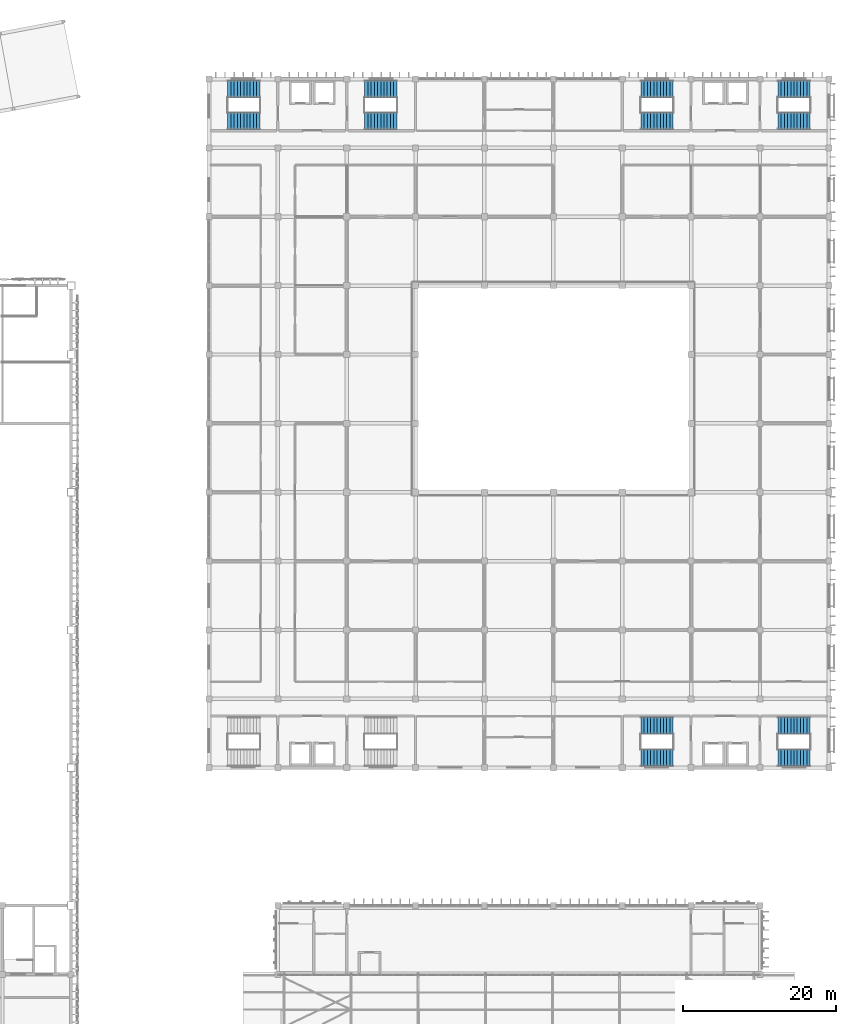
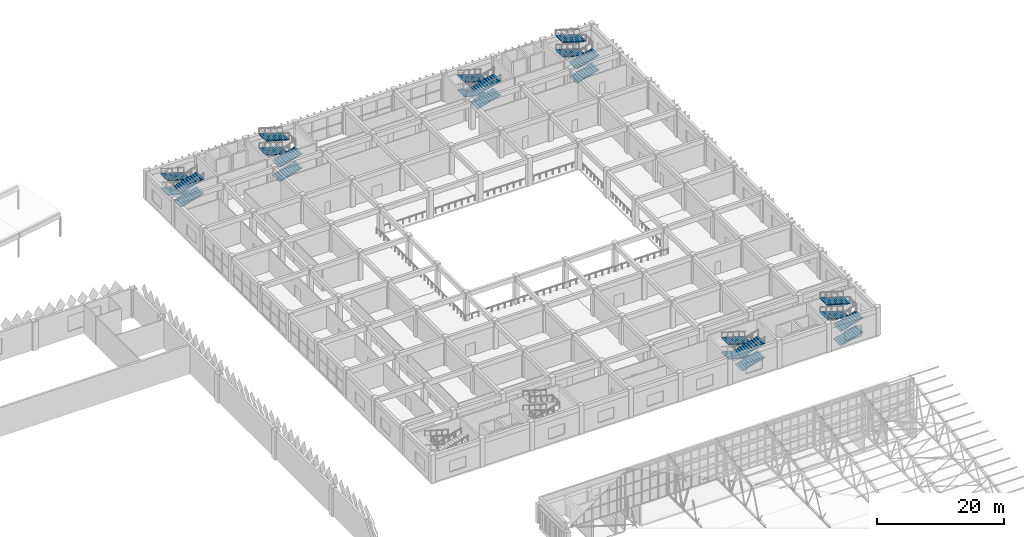
# One storey, part 133 of 185: 24 stair flights, 6 elements without a shape of their own.
"""IFC4 building model written with IfcOpenShell, lengths in metres."""

from ifc_helpers import new_model, si_unit, direction, frame, origin, place, context, subcontext, project, spatial, polyline, outline, extrude, material, type_object, element, aggregate, save


model = new_model("IFC4")

# Units and contexts
model_context = context("Model", 3, precision=1e-05, world=origin(), true_north=direction((0.0, 1.0)))
body_context = subcontext(model_context, "Body", "Model", "MODEL_VIEW")
ifc_project = project(units=[si_unit("LENGTHUNIT", "METRE"), si_unit("AREAUNIT", "SQUARE_METRE"), si_unit("VOLUMEUNIT", "CUBIC_METRE"), si_unit("PLANEANGLEUNIT", "RADIAN"), si_unit("MASSUNIT", "GRAM", prefix="KILO")], contexts=[model_context])

# Site, building, storey
site_placement = place(None, origin())
site = spatial("IfcSite", under=ifc_project, at=site_placement, CompositionType="ELEMENT")
building_placement = place(site_placement, origin())
building = spatial("IfcBuilding", under=site, at=building_placement, Name="Opaline Strait Convention Centre", CompositionType="ELEMENT")
storey_placement = place(building_placement, frame((0.0, 0.0, 6.0)))
storey = spatial("IfcBuildingStorey", under=building, at=storey_placement, Name="L01", CompositionType="ELEMENT", Elevation=6.0)

# Stair, stair flights
ifc_material = material(Name="Concrete C40", Category="concrete")
stair_type = type_object("IfcStairType", Name="Escape stair half-turn 2200 concrete C40", PredefinedType="HALF_TURN_STAIR", material=ifc_material)
stair_1_placement = place(storey_placement, origin())
stair_1 = element("IfcStair", 1, at=stair_1_placement, inside=storey, type_object=stair_type, Name="L01 Stair S3-MTG", ObjectType="MST1", PredefinedType="HALF_TURN_STAIR")
stair_flight_type = type_object("IfcStairFlightType", Name="Stair flight 2200 concrete C40", PredefinedType="STRAIGHT", material=ifc_material)
stair_flight_1_placement = place(storey_placement, frame((353.349853515625, 91.300048828125, 0.0), z_axis=(0.0, 0.0, 1.0), x_axis=(1.0, 0.0, 0.0)))
stair_flight_1 = element("IfcStairFlight", 2, at=stair_flight_1_placement, type_object=stair_flight_type, Name="S3 flight 1", ObjectType="MSF2", NumberOfRisers=11, NumberOfTreads=10, PredefinedType="STRAIGHT", RiserHeight=0.125, TreadLength=0.42, context=body_context, shape_type="SweptSolid", body=[
    extrude(outline(polyline([(0.0, 0.0), (0.0, 0.125), (0.419921875, 0.125), (0.419921875, 0.25), (0.840087890625, 0.25), (0.840087890625, 0.375), (1.260009765625, 0.375), (1.260009765625, 0.5), (1.679931640625, 0.5), (1.679931640625, 0.625), (2.10009765625, 0.625), (2.10009765625, 0.75), (2.52001953125, 0.75), (2.52001953125, 0.875), (2.93994140625, 0.875), (2.93994140625, 1.0), (3.360107421875, 1.0), (3.360107421875, 1.125), (3.780029296875, 1.125), (3.780029296875, 1.25), (4.199951171875, 1.25), (4.199951171875, 1.375), (4.199951171875, 1.093505859375), (0.525390625, 0.0), (0.0, 0.0)])), frame((0.0, 1.10009765625, 0.0), z_axis=(0.0, -1.0, 0.0), x_axis=(1.0, 0.0, 0.0)), (0.0, 0.0, 1.0), 2.199951171875),
])
stair_flight_2_placement = place(storey_placement, frame((357.5498046875, 95.5, 1.375), z_axis=(0.0, 0.0, 1.0), x_axis=(-1.0, 0.0, 0.0)))
stair_flight_2 = element("IfcStairFlight", 3, at=stair_flight_2_placement, type_object=stair_flight_type, Name="S3 flight 2", ObjectType="MSF2", NumberOfRisers=11, NumberOfTreads=10, PredefinedType="STRAIGHT", RiserHeight=0.125, TreadLength=0.42, context=body_context, shape_type="SweptSolid", body=[
    extrude(outline(polyline([(0.0, 0.0), (0.0, 0.125), (0.419921875, 0.125), (0.419921875, 0.25), (0.840087890625, 0.25), (0.840087890625, 0.375), (1.260009765625, 0.375), (1.260009765625, 0.5), (1.679931640625, 0.5), (1.679931640625, 0.625), (2.10009765625, 0.625), (2.10009765625, 0.75), (2.52001953125, 0.75), (2.52001953125, 0.875), (2.93994140625, 0.875), (2.93994140625, 1.0), (3.360107421875, 1.0), (3.360107421875, 1.125), (3.780029296875, 1.125), (3.780029296875, 1.25), (4.199951171875, 1.25), (4.199951171875, 1.375), (4.199951171875, 1.093505859375), (0.525390625, 0.0), (0.0, 0.0)])), frame((0.0, 1.10009765625, 0.0), z_axis=(0.0, -1.0, 0.0), x_axis=(1.0, 0.0, 0.0)), (0.0, 0.0, 1.0), 2.199951171875),
])
stair_flight_3_placement = place(storey_placement, frame((353.349853515625, 91.300048828125, 2.75), z_axis=(0.0, 0.0, 1.0), x_axis=(1.0, 0.0, 0.0)))
stair_flight_3 = element("IfcStairFlight", 4, at=stair_flight_3_placement, type_object=stair_flight_type, Name="S3 flight 3", ObjectType="MSF2", NumberOfRisers=11, NumberOfTreads=10, PredefinedType="STRAIGHT", RiserHeight=0.125, TreadLength=0.42, context=body_context, shape_type="SweptSolid", body=[
    extrude(outline(polyline([(0.0, 0.0), (0.0, 0.125), (0.419921875, 0.125), (0.419921875, 0.25), (0.840087890625, 0.25), (0.840087890625, 0.375), (1.260009765625, 0.375), (1.260009765625, 0.5), (1.679931640625, 0.5), (1.679931640625, 0.625), (2.10009765625, 0.625), (2.10009765625, 0.75), (2.52001953125, 0.75), (2.52001953125, 0.875), (2.93994140625, 0.875), (2.93994140625, 1.0), (3.360107421875, 1.0), (3.360107421875, 1.125), (3.780029296875, 1.125), (3.780029296875, 1.25), (4.199951171875, 1.25), (4.199951171875, 1.375), (4.199951171875, 1.093505859375), (0.525390625, 0.0), (0.0, 0.0)])), frame((0.0, 1.10009765625, 0.0), z_axis=(0.0, -1.0, 0.0), x_axis=(1.0, 0.0, 0.0)), (0.0, 0.0, 1.0), 2.199951171875),
])
stair_flight_4_placement = place(storey_placement, frame((357.5498046875, 95.5, 4.125), z_axis=(0.0, 0.0, 1.0), x_axis=(-1.0, 0.0, 0.0)))
stair_flight_4 = element("IfcStairFlight", 5, at=stair_flight_4_placement, type_object=stair_flight_type, Name="S3 flight 4", ObjectType="MSF2", NumberOfRisers=11, NumberOfTreads=10, PredefinedType="STRAIGHT", RiserHeight=0.125, TreadLength=0.42, context=body_context, shape_type="SweptSolid", body=[
    extrude(outline(polyline([(0.0, 0.0), (0.0, 0.125), (0.419921875, 0.125), (0.419921875, 0.25), (0.840087890625, 0.25), (0.840087890625, 0.375), (1.260009765625, 0.375), (1.260009765625, 0.5), (1.679931640625, 0.5), (1.679931640625, 0.625), (2.10009765625, 0.625), (2.10009765625, 0.75), (2.52001953125, 0.75), (2.52001953125, 0.875), (2.93994140625, 0.875), (2.93994140625, 1.0), (3.360107421875, 1.0), (3.360107421875, 1.125), (3.780029296875, 1.125), (3.780029296875, 1.25), (4.199951171875, 1.25), (4.199951171875, 1.375), (4.199951171875, 1.093505859375), (0.525390625, 0.0), (0.0, 0.0)])), frame((0.0, 1.10009765625, 0.0), z_axis=(0.0, -1.0, 0.0), x_axis=(1.0, 0.0, 0.0)), (0.0, 0.0, 1.0), 2.199951171875),
])
aggregate(stair_1, [stair_flight_1, stair_flight_2, stair_flight_3, stair_flight_4])

stair_2_placement = place(storey_placement, origin())
stair_2 = element("IfcStair", 6, at=stair_2_placement, inside=storey, type_object=stair_type, Name="L01 Stair S4-MTG", ObjectType="MST1", PredefinedType="HALF_TURN_STAIR")
stair_flight_5_placement = place(storey_placement, frame((339.650146484375, 95.5, 0.0), z_axis=(0.0, 0.0, 1.0), x_axis=(-1.0, 0.0, 0.0)))
stair_flight_5 = element("IfcStairFlight", 7, at=stair_flight_5_placement, type_object=stair_flight_type, Name="S4 flight 1", ObjectType="MSF2", NumberOfRisers=11, NumberOfTreads=10, PredefinedType="STRAIGHT", RiserHeight=0.125, TreadLength=0.42, context=body_context, shape_type="SweptSolid", body=[
    extrude(outline(polyline([(0.0, 0.0), (0.0, 0.125), (0.419921875, 0.125), (0.419921875, 0.25), (0.840087890625, 0.25), (0.840087890625, 0.375), (1.260009765625, 0.375), (1.260009765625, 0.5), (1.679931640625, 0.5), (1.679931640625, 0.625), (2.10009765625, 0.625), (2.10009765625, 0.75), (2.52001953125, 0.75), (2.52001953125, 0.875), (2.93994140625, 0.875), (2.93994140625, 1.0), (3.360107421875, 1.0), (3.360107421875, 1.125), (3.780029296875, 1.125), (3.780029296875, 1.25), (4.199951171875, 1.25), (4.199951171875, 1.375), (4.199951171875, 1.093505859375), (0.525390625, 0.0), (0.0, 0.0)])), frame((0.0, 1.10009765625, 0.0), z_axis=(0.0, -1.0, 0.0), x_axis=(1.0, 0.0, 0.0)), (0.0, 0.0, 1.0), 2.199951171875),
])
stair_flight_6_placement = place(storey_placement, frame((335.4501953125, 91.300048828125, 1.375), z_axis=(0.0, 0.0, 1.0), x_axis=(1.0, 0.0, 0.0)))
stair_flight_6 = element("IfcStairFlight", 8, at=stair_flight_6_placement, type_object=stair_flight_type, Name="S4 flight 2", ObjectType="MSF2", NumberOfRisers=11, NumberOfTreads=10, PredefinedType="STRAIGHT", RiserHeight=0.125, TreadLength=0.42, context=body_context, shape_type="SweptSolid", body=[
    extrude(outline(polyline([(0.0, 0.0), (0.0, 0.125), (0.419921875, 0.125), (0.419921875, 0.25), (0.840087890625, 0.25), (0.840087890625, 0.375), (1.260009765625, 0.375), (1.260009765625, 0.5), (1.679931640625, 0.5), (1.679931640625, 0.625), (2.10009765625, 0.625), (2.10009765625, 0.75), (2.52001953125, 0.75), (2.52001953125, 0.875), (2.93994140625, 0.875), (2.93994140625, 1.0), (3.360107421875, 1.0), (3.360107421875, 1.125), (3.780029296875, 1.125), (3.780029296875, 1.25), (4.199951171875, 1.25), (4.199951171875, 1.375), (4.199951171875, 1.093505859375), (0.525390625, 0.0), (0.0, 0.0)])), frame((0.0, 1.10009765625, 0.0), z_axis=(0.0, -1.0, 0.0), x_axis=(1.0, 0.0, 0.0)), (0.0, 0.0, 1.0), 2.199951171875),
])
stair_flight_7_placement = place(storey_placement, frame((339.650146484375, 95.5, 2.75), z_axis=(0.0, 0.0, 1.0), x_axis=(-1.0, 0.0, 0.0)))
stair_flight_7 = element("IfcStairFlight", 9, at=stair_flight_7_placement, type_object=stair_flight_type, Name="S4 flight 3", ObjectType="MSF2", NumberOfRisers=11, NumberOfTreads=10, PredefinedType="STRAIGHT", RiserHeight=0.125, TreadLength=0.42, context=body_context, shape_type="SweptSolid", body=[
    extrude(outline(polyline([(0.0, 0.0), (0.0, 0.125), (0.419921875, 0.125), (0.419921875, 0.25), (0.840087890625, 0.25), (0.840087890625, 0.375), (1.260009765625, 0.375), (1.260009765625, 0.5), (1.679931640625, 0.5), (1.679931640625, 0.625), (2.10009765625, 0.625), (2.10009765625, 0.75), (2.52001953125, 0.75), (2.52001953125, 0.875), (2.93994140625, 0.875), (2.93994140625, 1.0), (3.360107421875, 1.0), (3.360107421875, 1.125), (3.780029296875, 1.125), (3.780029296875, 1.25), (4.199951171875, 1.25), (4.199951171875, 1.375), (4.199951171875, 1.093505859375), (0.525390625, 0.0), (0.0, 0.0)])), frame((0.0, 1.10009765625, 0.0), z_axis=(0.0, -1.0, 0.0), x_axis=(1.0, 0.0, 0.0)), (0.0, 0.0, 1.0), 2.199951171875),
])
stair_flight_8_placement = place(storey_placement, frame((335.4501953125, 91.300048828125, 4.125), z_axis=(0.0, 0.0, 1.0), x_axis=(1.0, 0.0, 0.0)))
stair_flight_8 = element("IfcStairFlight", 10, at=stair_flight_8_placement, type_object=stair_flight_type, Name="S4 flight 4", ObjectType="MSF2", NumberOfRisers=11, NumberOfTreads=10, PredefinedType="STRAIGHT", RiserHeight=0.125, TreadLength=0.42, context=body_context, shape_type="SweptSolid", body=[
    extrude(outline(polyline([(0.0, 0.0), (0.0, 0.125), (0.419921875, 0.125), (0.419921875, 0.25), (0.840087890625, 0.25), (0.840087890625, 0.375), (1.260009765625, 0.375), (1.260009765625, 0.5), (1.679931640625, 0.5), (1.679931640625, 0.625), (2.10009765625, 0.625), (2.10009765625, 0.75), (2.52001953125, 0.75), (2.52001953125, 0.875), (2.93994140625, 0.875), (2.93994140625, 1.0), (3.360107421875, 1.0), (3.360107421875, 1.125), (3.780029296875, 1.125), (3.780029296875, 1.25), (4.199951171875, 1.25), (4.199951171875, 1.375), (4.199951171875, 1.093505859375), (0.525390625, 0.0), (0.0, 0.0)])), frame((0.0, 1.10009765625, 0.0), z_axis=(0.0, -1.0, 0.0), x_axis=(1.0, 0.0, 0.0)), (0.0, 0.0, 1.0), 2.199951171875),
])
aggregate(stair_2, [stair_flight_5, stair_flight_6, stair_flight_7, stair_flight_8])

stair_3_placement = place(storey_placement, origin())
stair_3 = element("IfcStair", 11, at=stair_3_placement, inside=storey, type_object=stair_type, Name="L01 Stair S5-MTG", ObjectType="MST1", PredefinedType="HALF_TURN_STAIR")
stair_flight_9_placement = place(storey_placement, frame((285.650146484375, 178.699951171875, 0.0), z_axis=(0.0, 0.0, 1.0), x_axis=(-1.0, 0.0, 0.0)))
stair_flight_9 = element("IfcStairFlight", 12, at=stair_flight_9_placement, type_object=stair_flight_type, Name="S5 flight 1", ObjectType="MSF2", NumberOfRisers=11, NumberOfTreads=10, PredefinedType="STRAIGHT", RiserHeight=0.125, TreadLength=0.42, context=body_context, shape_type="SweptSolid", body=[
    extrude(outline(polyline([(0.0, 0.0), (0.0, 0.125), (0.419921875, 0.125), (0.419921875, 0.25), (0.840087890625, 0.25), (0.840087890625, 0.375), (1.260009765625, 0.375), (1.260009765625, 0.5), (1.679931640625, 0.5), (1.679931640625, 0.625), (2.10009765625, 0.625), (2.10009765625, 0.75), (2.52001953125, 0.75), (2.52001953125, 0.875), (2.93994140625, 0.875), (2.93994140625, 1.0), (3.360107421875, 1.0), (3.360107421875, 1.125), (3.780029296875, 1.125), (3.780029296875, 1.25), (4.199951171875, 1.25), (4.199951171875, 1.375), (4.199951171875, 1.093505859375), (0.525390625, 0.0), (0.0, 0.0)])), frame((0.0, 1.10009765625, 0.0), z_axis=(0.0, -1.0, 0.0), x_axis=(1.0, 0.0, 0.0)), (0.0, 0.0, 1.0), 2.199951171875),
])
stair_flight_10_placement = place(storey_placement, frame((281.4501953125, 174.5, 1.375), z_axis=(0.0, 0.0, 1.0), x_axis=(1.0, 0.0, 0.0)))
stair_flight_10 = element("IfcStairFlight", 13, at=stair_flight_10_placement, type_object=stair_flight_type, Name="S5 flight 2", ObjectType="MSF2", NumberOfRisers=11, NumberOfTreads=10, PredefinedType="STRAIGHT", RiserHeight=0.125, TreadLength=0.42, context=body_context, shape_type="SweptSolid", body=[
    extrude(outline(polyline([(0.0, 0.0), (0.0, 0.125), (0.419921875, 0.125), (0.419921875, 0.25), (0.840087890625, 0.25), (0.840087890625, 0.375), (1.260009765625, 0.375), (1.260009765625, 0.5), (1.679931640625, 0.5), (1.679931640625, 0.625), (2.10009765625, 0.625), (2.10009765625, 0.75), (2.52001953125, 0.75), (2.52001953125, 0.875), (2.93994140625, 0.875), (2.93994140625, 1.0), (3.360107421875, 1.0), (3.360107421875, 1.125), (3.780029296875, 1.125), (3.780029296875, 1.25), (4.199951171875, 1.25), (4.199951171875, 1.375), (4.199951171875, 1.093505859375), (0.525390625, 0.0), (0.0, 0.0)])), frame((0.0, 1.10009765625, 0.0), z_axis=(0.0, -1.0, 0.0), x_axis=(1.0, 0.0, 0.0)), (0.0, 0.0, 1.0), 2.199951171875),
])
stair_flight_11_placement = place(storey_placement, frame((285.650146484375, 178.699951171875, 2.75), z_axis=(0.0, 0.0, 1.0), x_axis=(-1.0, 0.0, 0.0)))
stair_flight_11 = element("IfcStairFlight", 14, at=stair_flight_11_placement, type_object=stair_flight_type, Name="S5 flight 3", ObjectType="MSF2", NumberOfRisers=11, NumberOfTreads=10, PredefinedType="STRAIGHT", RiserHeight=0.125, TreadLength=0.42, context=body_context, shape_type="SweptSolid", body=[
    extrude(outline(polyline([(0.0, 0.0), (0.0, 0.125), (0.419921875, 0.125), (0.419921875, 0.25), (0.840087890625, 0.25), (0.840087890625, 0.375), (1.260009765625, 0.375), (1.260009765625, 0.5), (1.679931640625, 0.5), (1.679931640625, 0.625), (2.10009765625, 0.625), (2.10009765625, 0.75), (2.52001953125, 0.75), (2.52001953125, 0.875), (2.93994140625, 0.875), (2.93994140625, 1.0), (3.360107421875, 1.0), (3.360107421875, 1.125), (3.780029296875, 1.125), (3.780029296875, 1.25), (4.199951171875, 1.25), (4.199951171875, 1.375), (4.199951171875, 1.093505859375), (0.525390625, 0.0), (0.0, 0.0)])), frame((0.0, 1.10009765625, 0.0), z_axis=(0.0, -1.0, 0.0), x_axis=(1.0, 0.0, 0.0)), (0.0, 0.0, 1.0), 2.199951171875),
])
stair_flight_12_placement = place(storey_placement, frame((281.4501953125, 174.5, 4.125), z_axis=(0.0, 0.0, 1.0), x_axis=(1.0, 0.0, 0.0)))
stair_flight_12 = element("IfcStairFlight", 15, at=stair_flight_12_placement, type_object=stair_flight_type, Name="S5 flight 4", ObjectType="MSF2", NumberOfRisers=11, NumberOfTreads=10, PredefinedType="STRAIGHT", RiserHeight=0.125, TreadLength=0.42, context=body_context, shape_type="SweptSolid", body=[
    extrude(outline(polyline([(0.0, 0.0), (0.0, 0.125), (0.419921875, 0.125), (0.419921875, 0.25), (0.840087890625, 0.25), (0.840087890625, 0.375), (1.260009765625, 0.375), (1.260009765625, 0.5), (1.679931640625, 0.5), (1.679931640625, 0.625), (2.10009765625, 0.625), (2.10009765625, 0.75), (2.52001953125, 0.75), (2.52001953125, 0.875), (2.93994140625, 0.875), (2.93994140625, 1.0), (3.360107421875, 1.0), (3.360107421875, 1.125), (3.780029296875, 1.125), (3.780029296875, 1.25), (4.199951171875, 1.25), (4.199951171875, 1.375), (4.199951171875, 1.093505859375), (0.525390625, 0.0), (0.0, 0.0)])), frame((0.0, 1.10009765625, 0.0), z_axis=(0.0, -1.0, 0.0), x_axis=(1.0, 0.0, 0.0)), (0.0, 0.0, 1.0), 2.199951171875),
])
aggregate(stair_3, [stair_flight_9, stair_flight_10, stair_flight_11, stair_flight_12])

stair_4_placement = place(storey_placement, origin())
stair_4 = element("IfcStair", 16, at=stair_4_placement, inside=storey, type_object=stair_type, Name="L01 Stair S6-MTG", ObjectType="MST1", PredefinedType="HALF_TURN_STAIR")
stair_flight_13_placement = place(storey_placement, frame((299.349853515625, 174.5, 0.0), z_axis=(0.0, 0.0, 1.0), x_axis=(1.0, 0.0, 0.0)))
stair_flight_13 = element("IfcStairFlight", 17, at=stair_flight_13_placement, type_object=stair_flight_type, Name="S6 flight 1", ObjectType="MSF2", NumberOfRisers=11, NumberOfTreads=10, PredefinedType="STRAIGHT", RiserHeight=0.125, TreadLength=0.42, context=body_context, shape_type="SweptSolid", body=[
    extrude(outline(polyline([(0.0, 0.0), (0.0, 0.125), (0.419921875, 0.125), (0.419921875, 0.25), (0.840087890625, 0.25), (0.840087890625, 0.375), (1.260009765625, 0.375), (1.260009765625, 0.5), (1.679931640625, 0.5), (1.679931640625, 0.625), (2.10009765625, 0.625), (2.10009765625, 0.75), (2.52001953125, 0.75), (2.52001953125, 0.875), (2.93994140625, 0.875), (2.93994140625, 1.0), (3.360107421875, 1.0), (3.360107421875, 1.125), (3.780029296875, 1.125), (3.780029296875, 1.25), (4.199951171875, 1.25), (4.199951171875, 1.375), (4.199951171875, 1.093505859375), (0.525390625, 0.0), (0.0, 0.0)])), frame((0.0, 1.10009765625, 0.0), z_axis=(0.0, -1.0, 0.0), x_axis=(1.0, 0.0, 0.0)), (0.0, 0.0, 1.0), 2.199951171875),
])
stair_flight_14_placement = place(storey_placement, frame((303.5498046875, 178.699951171875, 1.375), z_axis=(0.0, 0.0, 1.0), x_axis=(-1.0, 0.0, 0.0)))
stair_flight_14 = element("IfcStairFlight", 18, at=stair_flight_14_placement, type_object=stair_flight_type, Name="S6 flight 2", ObjectType="MSF2", NumberOfRisers=11, NumberOfTreads=10, PredefinedType="STRAIGHT", RiserHeight=0.125, TreadLength=0.42, context=body_context, shape_type="SweptSolid", body=[
    extrude(outline(polyline([(0.0, 0.0), (0.0, 0.125), (0.419921875, 0.125), (0.419921875, 0.25), (0.840087890625, 0.25), (0.840087890625, 0.375), (1.260009765625, 0.375), (1.260009765625, 0.5), (1.679931640625, 0.5), (1.679931640625, 0.625), (2.10009765625, 0.625), (2.10009765625, 0.75), (2.52001953125, 0.75), (2.52001953125, 0.875), (2.93994140625, 0.875), (2.93994140625, 1.0), (3.360107421875, 1.0), (3.360107421875, 1.125), (3.780029296875, 1.125), (3.780029296875, 1.25), (4.199951171875, 1.25), (4.199951171875, 1.375), (4.199951171875, 1.093505859375), (0.525390625, 0.0), (0.0, 0.0)])), frame((0.0, 1.10009765625, 0.0), z_axis=(0.0, -1.0, 0.0), x_axis=(1.0, 0.0, 0.0)), (0.0, 0.0, 1.0), 2.199951171875),
])
stair_flight_15_placement = place(storey_placement, frame((299.349853515625, 174.5, 2.75), z_axis=(0.0, 0.0, 1.0), x_axis=(1.0, 0.0, 0.0)))
stair_flight_15 = element("IfcStairFlight", 19, at=stair_flight_15_placement, type_object=stair_flight_type, Name="S6 flight 3", ObjectType="MSF2", NumberOfRisers=11, NumberOfTreads=10, PredefinedType="STRAIGHT", RiserHeight=0.125, TreadLength=0.42, context=body_context, shape_type="SweptSolid", body=[
    extrude(outline(polyline([(0.0, 0.0), (0.0, 0.125), (0.419921875, 0.125), (0.419921875, 0.25), (0.840087890625, 0.25), (0.840087890625, 0.375), (1.260009765625, 0.375), (1.260009765625, 0.5), (1.679931640625, 0.5), (1.679931640625, 0.625), (2.10009765625, 0.625), (2.10009765625, 0.75), (2.52001953125, 0.75), (2.52001953125, 0.875), (2.93994140625, 0.875), (2.93994140625, 1.0), (3.360107421875, 1.0), (3.360107421875, 1.125), (3.780029296875, 1.125), (3.780029296875, 1.25), (4.199951171875, 1.25), (4.199951171875, 1.375), (4.199951171875, 1.093505859375), (0.525390625, 0.0), (0.0, 0.0)])), frame((0.0, 1.10009765625, 0.0), z_axis=(0.0, -1.0, 0.0), x_axis=(1.0, 0.0, 0.0)), (0.0, 0.0, 1.0), 2.199951171875),
])
stair_flight_16_placement = place(storey_placement, frame((303.5498046875, 178.699951171875, 4.125), z_axis=(0.0, 0.0, 1.0), x_axis=(-1.0, 0.0, 0.0)))
stair_flight_16 = element("IfcStairFlight", 20, at=stair_flight_16_placement, type_object=stair_flight_type, Name="S6 flight 4", ObjectType="MSF2", NumberOfRisers=11, NumberOfTreads=10, PredefinedType="STRAIGHT", RiserHeight=0.125, TreadLength=0.42, context=body_context, shape_type="SweptSolid", body=[
    extrude(outline(polyline([(0.0, 0.0), (0.0, 0.125), (0.419921875, 0.125), (0.419921875, 0.25), (0.840087890625, 0.25), (0.840087890625, 0.375), (1.260009765625, 0.375), (1.260009765625, 0.5), (1.679931640625, 0.5), (1.679931640625, 0.625), (2.10009765625, 0.625), (2.10009765625, 0.75), (2.52001953125, 0.75), (2.52001953125, 0.875), (2.93994140625, 0.875), (2.93994140625, 1.0), (3.360107421875, 1.0), (3.360107421875, 1.125), (3.780029296875, 1.125), (3.780029296875, 1.25), (4.199951171875, 1.25), (4.199951171875, 1.375), (4.199951171875, 1.093505859375), (0.525390625, 0.0), (0.0, 0.0)])), frame((0.0, 1.10009765625, 0.0), z_axis=(0.0, -1.0, 0.0), x_axis=(1.0, 0.0, 0.0)), (0.0, 0.0, 1.0), 2.199951171875),
])
aggregate(stair_4, [stair_flight_13, stair_flight_14, stair_flight_15, stair_flight_16])

stair_5_placement = place(storey_placement, origin())
stair_5 = element("IfcStair", 21, at=stair_5_placement, inside=storey, type_object=stair_type, Name="L01 Stair S7-MTG", ObjectType="MST1", PredefinedType="HALF_TURN_STAIR")
stair_flight_17_placement = place(storey_placement, frame((353.349853515625, 174.5, 0.0), z_axis=(0.0, 0.0, 1.0), x_axis=(1.0, 0.0, 0.0)))
stair_flight_17 = element("IfcStairFlight", 22, at=stair_flight_17_placement, type_object=stair_flight_type, Name="S7 flight 1", ObjectType="MSF2", NumberOfRisers=11, NumberOfTreads=10, PredefinedType="STRAIGHT", RiserHeight=0.125, TreadLength=0.42, context=body_context, shape_type="SweptSolid", body=[
    extrude(outline(polyline([(0.0, 0.0), (0.0, 0.125), (0.419921875, 0.125), (0.419921875, 0.25), (0.840087890625, 0.25), (0.840087890625, 0.375), (1.260009765625, 0.375), (1.260009765625, 0.5), (1.679931640625, 0.5), (1.679931640625, 0.625), (2.10009765625, 0.625), (2.10009765625, 0.75), (2.52001953125, 0.75), (2.52001953125, 0.875), (2.93994140625, 0.875), (2.93994140625, 1.0), (3.360107421875, 1.0), (3.360107421875, 1.125), (3.780029296875, 1.125), (3.780029296875, 1.25), (4.199951171875, 1.25), (4.199951171875, 1.375), (4.199951171875, 1.093505859375), (0.525390625, 0.0), (0.0, 0.0)])), frame((0.0, 1.10009765625, 0.0), z_axis=(0.0, -1.0, 0.0), x_axis=(1.0, 0.0, 0.0)), (0.0, 0.0, 1.0), 2.199951171875),
])
stair_flight_18_placement = place(storey_placement, frame((357.5498046875, 178.699951171875, 1.375), z_axis=(0.0, 0.0, 1.0), x_axis=(-1.0, 0.0, 0.0)))
stair_flight_18 = element("IfcStairFlight", 23, at=stair_flight_18_placement, type_object=stair_flight_type, Name="S7 flight 2", ObjectType="MSF2", NumberOfRisers=11, NumberOfTreads=10, PredefinedType="STRAIGHT", RiserHeight=0.125, TreadLength=0.42, context=body_context, shape_type="SweptSolid", body=[
    extrude(outline(polyline([(0.0, 0.0), (0.0, 0.125), (0.419921875, 0.125), (0.419921875, 0.25), (0.840087890625, 0.25), (0.840087890625, 0.375), (1.260009765625, 0.375), (1.260009765625, 0.5), (1.679931640625, 0.5), (1.679931640625, 0.625), (2.10009765625, 0.625), (2.10009765625, 0.75), (2.52001953125, 0.75), (2.52001953125, 0.875), (2.93994140625, 0.875), (2.93994140625, 1.0), (3.360107421875, 1.0), (3.360107421875, 1.125), (3.780029296875, 1.125), (3.780029296875, 1.25), (4.199951171875, 1.25), (4.199951171875, 1.375), (4.199951171875, 1.093505859375), (0.525390625, 0.0), (0.0, 0.0)])), frame((0.0, 1.10009765625, 0.0), z_axis=(0.0, -1.0, 0.0), x_axis=(1.0, 0.0, 0.0)), (0.0, 0.0, 1.0), 2.199951171875),
])
stair_flight_19_placement = place(storey_placement, frame((353.349853515625, 174.5, 2.75), z_axis=(0.0, 0.0, 1.0), x_axis=(1.0, 0.0, 0.0)))
stair_flight_19 = element("IfcStairFlight", 24, at=stair_flight_19_placement, type_object=stair_flight_type, Name="S7 flight 3", ObjectType="MSF2", NumberOfRisers=11, NumberOfTreads=10, PredefinedType="STRAIGHT", RiserHeight=0.125, TreadLength=0.42, context=body_context, shape_type="SweptSolid", body=[
    extrude(outline(polyline([(0.0, 0.0), (0.0, 0.125), (0.419921875, 0.125), (0.419921875, 0.25), (0.840087890625, 0.25), (0.840087890625, 0.375), (1.260009765625, 0.375), (1.260009765625, 0.5), (1.679931640625, 0.5), (1.679931640625, 0.625), (2.10009765625, 0.625), (2.10009765625, 0.75), (2.52001953125, 0.75), (2.52001953125, 0.875), (2.93994140625, 0.875), (2.93994140625, 1.0), (3.360107421875, 1.0), (3.360107421875, 1.125), (3.780029296875, 1.125), (3.780029296875, 1.25), (4.199951171875, 1.25), (4.199951171875, 1.375), (4.199951171875, 1.093505859375), (0.525390625, 0.0), (0.0, 0.0)])), frame((0.0, 1.10009765625, 0.0), z_axis=(0.0, -1.0, 0.0), x_axis=(1.0, 0.0, 0.0)), (0.0, 0.0, 1.0), 2.199951171875),
])
stair_flight_20_placement = place(storey_placement, frame((357.5498046875, 178.699951171875, 4.125), z_axis=(0.0, 0.0, 1.0), x_axis=(-1.0, 0.0, 0.0)))
stair_flight_20 = element("IfcStairFlight", 25, at=stair_flight_20_placement, type_object=stair_flight_type, Name="S7 flight 4", ObjectType="MSF2", NumberOfRisers=11, NumberOfTreads=10, PredefinedType="STRAIGHT", RiserHeight=0.125, TreadLength=0.42, context=body_context, shape_type="SweptSolid", body=[
    extrude(outline(polyline([(0.0, 0.0), (0.0, 0.125), (0.419921875, 0.125), (0.419921875, 0.25), (0.840087890625, 0.25), (0.840087890625, 0.375), (1.260009765625, 0.375), (1.260009765625, 0.5), (1.679931640625, 0.5), (1.679931640625, 0.625), (2.10009765625, 0.625), (2.10009765625, 0.75), (2.52001953125, 0.75), (2.52001953125, 0.875), (2.93994140625, 0.875), (2.93994140625, 1.0), (3.360107421875, 1.0), (3.360107421875, 1.125), (3.780029296875, 1.125), (3.780029296875, 1.25), (4.199951171875, 1.25), (4.199951171875, 1.375), (4.199951171875, 1.093505859375), (0.525390625, 0.0), (0.0, 0.0)])), frame((0.0, 1.10009765625, 0.0), z_axis=(0.0, -1.0, 0.0), x_axis=(1.0, 0.0, 0.0)), (0.0, 0.0, 1.0), 2.199951171875),
])
aggregate(stair_5, [stair_flight_17, stair_flight_18, stair_flight_19, stair_flight_20])

stair_6_placement = place(storey_placement, origin())
stair_6 = element("IfcStair", 26, at=stair_6_placement, inside=storey, type_object=stair_type, Name="L01 Stair S8-MTG", ObjectType="MST1", PredefinedType="HALF_TURN_STAIR")
stair_flight_21_placement = place(storey_placement, frame((339.650146484375, 178.699951171875, 0.0), z_axis=(0.0, 0.0, 1.0), x_axis=(-1.0, 0.0, 0.0)))
stair_flight_21 = element("IfcStairFlight", 27, at=stair_flight_21_placement, type_object=stair_flight_type, Name="S8 flight 1", ObjectType="MSF2", NumberOfRisers=11, NumberOfTreads=10, PredefinedType="STRAIGHT", RiserHeight=0.125, TreadLength=0.42, context=body_context, shape_type="SweptSolid", body=[
    extrude(outline(polyline([(0.0, 0.0), (0.0, 0.125), (0.419921875, 0.125), (0.419921875, 0.25), (0.840087890625, 0.25), (0.840087890625, 0.375), (1.260009765625, 0.375), (1.260009765625, 0.5), (1.679931640625, 0.5), (1.679931640625, 0.625), (2.10009765625, 0.625), (2.10009765625, 0.75), (2.52001953125, 0.75), (2.52001953125, 0.875), (2.93994140625, 0.875), (2.93994140625, 1.0), (3.360107421875, 1.0), (3.360107421875, 1.125), (3.780029296875, 1.125), (3.780029296875, 1.25), (4.199951171875, 1.25), (4.199951171875, 1.375), (4.199951171875, 1.093505859375), (0.525390625, 0.0), (0.0, 0.0)])), frame((0.0, 1.10009765625, 0.0), z_axis=(0.0, -1.0, 0.0), x_axis=(1.0, 0.0, 0.0)), (0.0, 0.0, 1.0), 2.199951171875),
])
stair_flight_22_placement = place(storey_placement, frame((335.4501953125, 174.5, 1.375), z_axis=(0.0, 0.0, 1.0), x_axis=(1.0, 0.0, 0.0)))
stair_flight_22 = element("IfcStairFlight", 28, at=stair_flight_22_placement, type_object=stair_flight_type, Name="S8 flight 2", ObjectType="MSF2", NumberOfRisers=11, NumberOfTreads=10, PredefinedType="STRAIGHT", RiserHeight=0.125, TreadLength=0.42, context=body_context, shape_type="SweptSolid", body=[
    extrude(outline(polyline([(0.0, 0.0), (0.0, 0.125), (0.419921875, 0.125), (0.419921875, 0.25), (0.840087890625, 0.25), (0.840087890625, 0.375), (1.260009765625, 0.375), (1.260009765625, 0.5), (1.679931640625, 0.5), (1.679931640625, 0.625), (2.10009765625, 0.625), (2.10009765625, 0.75), (2.52001953125, 0.75), (2.52001953125, 0.875), (2.93994140625, 0.875), (2.93994140625, 1.0), (3.360107421875, 1.0), (3.360107421875, 1.125), (3.780029296875, 1.125), (3.780029296875, 1.25), (4.199951171875, 1.25), (4.199951171875, 1.375), (4.199951171875, 1.093505859375), (0.525390625, 0.0), (0.0, 0.0)])), frame((0.0, 1.10009765625, 0.0), z_axis=(0.0, -1.0, 0.0), x_axis=(1.0, 0.0, 0.0)), (0.0, 0.0, 1.0), 2.199951171875),
])
stair_flight_23_placement = place(storey_placement, frame((339.650146484375, 178.699951171875, 2.75), z_axis=(0.0, 0.0, 1.0), x_axis=(-1.0, 0.0, 0.0)))
stair_flight_23 = element("IfcStairFlight", 29, at=stair_flight_23_placement, type_object=stair_flight_type, Name="S8 flight 3", ObjectType="MSF2", NumberOfRisers=11, NumberOfTreads=10, PredefinedType="STRAIGHT", RiserHeight=0.125, TreadLength=0.42, context=body_context, shape_type="SweptSolid", body=[
    extrude(outline(polyline([(0.0, 0.0), (0.0, 0.125), (0.419921875, 0.125), (0.419921875, 0.25), (0.840087890625, 0.25), (0.840087890625, 0.375), (1.260009765625, 0.375), (1.260009765625, 0.5), (1.679931640625, 0.5), (1.679931640625, 0.625), (2.10009765625, 0.625), (2.10009765625, 0.75), (2.52001953125, 0.75), (2.52001953125, 0.875), (2.93994140625, 0.875), (2.93994140625, 1.0), (3.360107421875, 1.0), (3.360107421875, 1.125), (3.780029296875, 1.125), (3.780029296875, 1.25), (4.199951171875, 1.25), (4.199951171875, 1.375), (4.199951171875, 1.093505859375), (0.525390625, 0.0), (0.0, 0.0)])), frame((0.0, 1.10009765625, 0.0), z_axis=(0.0, -1.0, 0.0), x_axis=(1.0, 0.0, 0.0)), (0.0, 0.0, 1.0), 2.199951171875),
])
stair_flight_24_placement = place(storey_placement, frame((335.4501953125, 174.5, 4.125), z_axis=(0.0, 0.0, 1.0), x_axis=(1.0, 0.0, 0.0)))
stair_flight_24 = element("IfcStairFlight", 30, at=stair_flight_24_placement, type_object=stair_flight_type, Name="S8 flight 4", ObjectType="MSF2", NumberOfRisers=11, NumberOfTreads=10, PredefinedType="STRAIGHT", RiserHeight=0.125, TreadLength=0.42, context=body_context, shape_type="SweptSolid", body=[
    extrude(outline(polyline([(0.0, 0.0), (0.0, 0.125), (0.419921875, 0.125), (0.419921875, 0.25), (0.840087890625, 0.25), (0.840087890625, 0.375), (1.260009765625, 0.375), (1.260009765625, 0.5), (1.679931640625, 0.5), (1.679931640625, 0.625), (2.10009765625, 0.625), (2.10009765625, 0.75), (2.52001953125, 0.75), (2.52001953125, 0.875), (2.93994140625, 0.875), (2.93994140625, 1.0), (3.360107421875, 1.0), (3.360107421875, 1.125), (3.780029296875, 1.125), (3.780029296875, 1.25), (4.199951171875, 1.25), (4.199951171875, 1.375), (4.199951171875, 1.093505859375), (0.525390625, 0.0), (0.0, 0.0)])), frame((0.0, 1.10009765625, 0.0), z_axis=(0.0, -1.0, 0.0), x_axis=(1.0, 0.0, 0.0)), (0.0, 0.0, 1.0), 2.199951171875),
])
aggregate(stair_6, [stair_flight_21, stair_flight_22, stair_flight_23, stair_flight_24])

save(model, "model.ifc")
